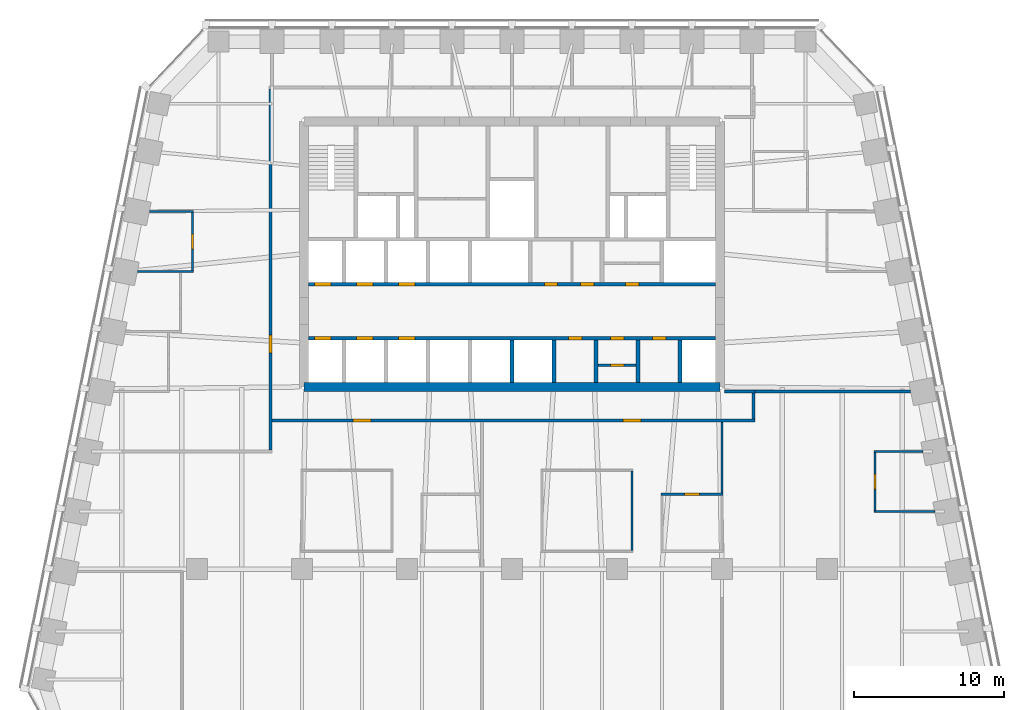
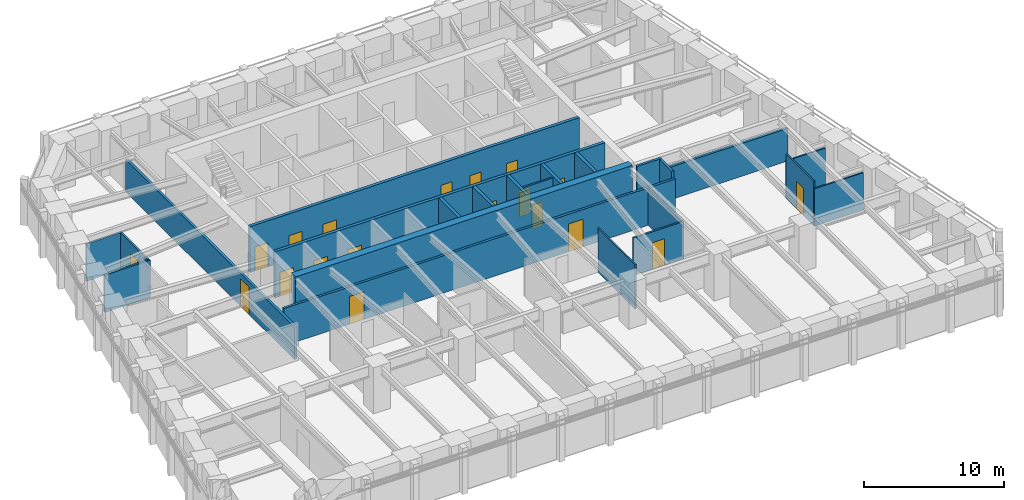
# One storey, part 6 of 10: 23 walls, 19 doors, 19 openings.
"""IFC4 building model written with IfcOpenShell, lengths in metres."""

from ifc_helpers import new_model, si_unit, direction, frame, frame_2d, origin, place, context, subcontext, project, spatial, rectangle, extrude, material, layer, layer_set, type_object, element, fill, save


model = new_model("IFC4")

# Units and contexts
model_context = context("Model", 3, precision=1e-05, world=origin(), true_north=direction((0.0, 1.0)))
body_context = subcontext(model_context, "Body", "Model", "MODEL_VIEW")
ifc_project = project(units=[si_unit("LENGTHUNIT", "METRE"), si_unit("AREAUNIT", "SQUARE_METRE"), si_unit("VOLUMEUNIT", "CUBIC_METRE"), si_unit("PLANEANGLEUNIT", "RADIAN"), si_unit("MASSUNIT", "GRAM", prefix="KILO")], contexts=[model_context])

# Site, building, storey
site_placement = place(None, origin())
site = spatial("IfcSite", under=ifc_project, at=site_placement, CompositionType="ELEMENT")
building_placement = place(site_placement, origin())
building = spatial("IfcBuilding", under=site, at=building_placement, Name="Isbrekke Arena Tower", CompositionType="ELEMENT")
storey_placement = place(building_placement, frame((0.0, 0.0, 230.0)))
storey = spatial("IfcBuildingStorey", under=building, at=storey_placement, Name="L53", CompositionType="ELEMENT", Elevation=230.0)

# Wall
ifc_material_1 = material(Name="Concrete B55 (C55/67)", Category="concrete")
ifc_layer_1 = layer(ifc_material_1, 0.60009765625)
ifc_layer_set_1 = layer_set([ifc_layer_1], Name="CW4 CORE WALL 600")
wall_type_1 = type_object("IfcWallType", Name="CW4 CORE WALL 600", PredefinedType="SHEAR", material=ifc_layer_set_1)
wall_1_placement = place(storey_placement, frame((-13.85009765625, 6.14990234375, 0.0), z_axis=(0.0, 0.0, 1.0), x_axis=(1.0, 0.0, 0.0)))
element("IfcWall", 1, at=wall_1_placement, inside=storey, type_object=wall_type_1, Name="Core wall S L53", PredefinedType="SHEAR", context=body_context, shape_type="SweptSolid", body=[
    extrude(rectangle(XDim=27.7001953125, YDim=0.60009765625, at=frame_2d((13.85009765625, 0.0))), origin(), (0.0, 0.0, 1.0), 4.0),
])

# Wall, openings, doors
ifc_material_2 = material(Name="Concrete B45 (C45/55)", Category="concrete")
ifc_layer_2 = layer(ifc_material_2, 0.25)
ifc_layer_set_2 = layer_set([ifc_layer_2], Name="CW6 SHAFT WALL 250")
wall_type_2 = type_object("IfcWallType", Name="CW6 SHAFT WALL 250", PredefinedType="SHEAR", material=ifc_layer_set_2)
wall_2_placement = place(storey_placement, frame((-13.550048828125, 9.39990234375, 0.0), z_axis=(0.0, 0.0, 1.0), x_axis=(1.0, 0.0, 0.0)))
wall_2 = element("IfcWall", 2, at=wall_2_placement, inside=storey, type_object=wall_type_2, Name="Core wall LS L53", PredefinedType="SHEAR", context=body_context, shape_type="SweptSolid", body=[
    extrude(rectangle(XDim=27.10009765625, YDim=0.25, at=frame_2d((13.550048828125, 0.0))), origin(), (0.0, 0.0, 1.0), 4.0),
])
opening_1_placement = place(wall_2_placement, frame((0.39990234375, 0.0, 0.0)))
opening_1 = element("IfcOpeningElement", 3, at=opening_1_placement, cuts=wall_2, Name="Opening LD1", PredefinedType="OPENING", context=body_context, shape_type="SweptSolid", body=[
    extrude(rectangle(XDim=1.10009765625, YDim=2.10009765625, at=frame_2d((0.550048828125, 1.050048828125))), frame((0.0, 0.139892578125, 0.0), z_axis=(0.0, -1.0, 0.0), x_axis=(1.0, 0.0, 0.0)), (0.0, 0.0, 1.0), 0.27978515625),
])
opening_2_placement = place(wall_2_placement, frame((3.199951171875, 0.0, 0.0)))
opening_2 = element("IfcOpeningElement", 4, at=opening_2_placement, cuts=wall_2, Name="Opening LD1", PredefinedType="OPENING", context=body_context, shape_type="SweptSolid", body=[
    extrude(rectangle(XDim=1.10009765625, YDim=2.10009765625, at=frame_2d((0.550048828125, 1.050048828125))), frame((0.0, 0.139892578125, 0.0), z_axis=(0.0, -1.0, 0.0), x_axis=(1.0, 0.0, 0.0)), (0.0, 0.0, 1.0), 0.27978515625),
])
opening_3_placement = place(wall_2_placement, frame((6.0, 0.0, 0.0)))
opening_3 = element("IfcOpeningElement", 5, at=opening_3_placement, cuts=wall_2, Name="Opening LD1", PredefinedType="OPENING", context=body_context, shape_type="SweptSolid", body=[
    extrude(rectangle(XDim=1.10009765625, YDim=2.10009765625, at=frame_2d((0.550048828125, 1.050048828125))), frame((0.0, 0.139892578125, 0.0), z_axis=(0.0, -1.0, 0.0), x_axis=(1.0, 0.0, 0.0)), (0.0, 0.0, 1.0), 0.27978515625),
])
opening_4_placement = place(wall_2_placement, frame((17.300048828125, 0.0, 0.0)))
opening_4 = element("IfcOpeningElement", 6, at=opening_4_placement, cuts=wall_2, Name="Opening D5", PredefinedType="OPENING", context=body_context, shape_type="SweptSolid", body=[
    extrude(rectangle(XDim=0.89990234375, YDim=2.10009765625, at=frame_2d((0.449951171875, 1.050048828125))), frame((0.0, 0.139892578125, 0.0), z_axis=(0.0, -1.0, 0.0), x_axis=(1.0, 0.0, 0.0)), (0.0, 0.0, 1.0), 0.27978515625),
])
opening_5_placement = place(wall_2_placement, frame((20.10009765625, 0.0, 0.0)))
opening_5 = element("IfcOpeningElement", 7, at=opening_5_placement, cuts=wall_2, Name="Opening D5", PredefinedType="OPENING", context=body_context, shape_type="SweptSolid", body=[
    extrude(rectangle(XDim=0.89990234375, YDim=2.10009765625, at=frame_2d((0.449951171875, 1.050048828125))), frame((0.0, 0.139892578125, 0.0), z_axis=(0.0, -1.0, 0.0), x_axis=(1.0, 0.0, 0.0)), (0.0, 0.0, 1.0), 0.27978515625),
])
opening_6_placement = place(wall_2_placement, frame((22.89990234375, 0.0, 0.0)))
opening_6 = element("IfcOpeningElement", 8, at=opening_6_placement, cuts=wall_2, Name="Opening D5", PredefinedType="OPENING", context=body_context, shape_type="SweptSolid", body=[
    extrude(rectangle(XDim=0.89990234375, YDim=2.10009765625, at=frame_2d((0.449951171875, 1.050048828125))), frame((0.0, 0.139892578125, 0.0), z_axis=(0.0, -1.0, 0.0), x_axis=(1.0, 0.0, 0.0)), (0.0, 0.0, 1.0), 0.27978515625),
])
ifc_material_3 = material(Name="Steel fire door", Category="steel")
door_type_1 = type_object("IfcDoorType", Name="D5 SERVICE DOOR 900 x 2100", OperationType="SINGLE_SWING_LEFT", PredefinedType="DOOR", material=ifc_material_3)
door_1_placement = place(opening_4_placement, origin())
door_1 = element("IfcDoor", 9, at=door_1_placement, inside=storey, type_object=door_type_1, Name="D5 tenant store door L53", OperationType="SINGLE_SWING_LEFT", OverallHeight=2.10009765625, OverallWidth=0.89990234375, PredefinedType="DOOR", context=body_context, shape_type="SweptSolid", body=[
    extrude(rectangle(XDim=0.89990234375, YDim=2.10009765625, at=frame_2d((0.449951171875, 1.050048828125))), frame((0.0, 0.124755859375, 0.0), z_axis=(0.0, -1.0, 0.0), x_axis=(1.0, 0.0, 0.0)), (0.0, 0.0, 1.0), 0.24951171875),
])
fill(opening_4, door_1)
door_2_placement = place(opening_5_placement, origin())
door_2 = element("IfcDoor", 10, at=door_2_placement, inside=storey, type_object=door_type_1, Name="D5 pantry door L53", OperationType="SINGLE_SWING_LEFT", OverallHeight=2.10009765625, OverallWidth=0.89990234375, PredefinedType="DOOR", context=body_context, shape_type="SweptSolid", body=[
    extrude(rectangle(XDim=0.89990234375, YDim=2.10009765625, at=frame_2d((0.449951171875, 1.050048828125))), frame((0.0, 0.124755859375, 0.0), z_axis=(0.0, -1.0, 0.0), x_axis=(1.0, 0.0, 0.0)), (0.0, 0.0, 1.0), 0.24951171875),
])
fill(opening_5, door_2)
door_3_placement = place(opening_6_placement, origin())
door_3 = element("IfcDoor", 11, at=door_3_placement, inside=storey, type_object=door_type_1, Name="D5 print room door L53", OperationType="SINGLE_SWING_LEFT", OverallHeight=2.10009765625, OverallWidth=0.89990234375, PredefinedType="DOOR", context=body_context, shape_type="SweptSolid", body=[
    extrude(rectangle(XDim=0.89990234375, YDim=2.10009765625, at=frame_2d((0.449951171875, 1.050048828125))), frame((0.0, 0.124755859375, 0.0), z_axis=(0.0, -1.0, 0.0), x_axis=(1.0, 0.0, 0.0)), (0.0, 0.0, 1.0), 0.24951171875),
])
fill(opening_6, door_3)
ifc_material_4 = material(Name="Stainless steel lift landing door", Category="steel")
door_type_2 = type_object("IfcDoorType", Name="LD1 LIFT LANDING DOOR 1100 x 2100", OperationType="SLIDING_TO_LEFT", PredefinedType="DOOR", material=ifc_material_4)
door_4_placement = place(opening_1_placement, origin())
door_4 = element("IfcDoor", 12, at=door_4_placement, inside=storey, type_object=door_type_2, Name="LD1 lift landing door LC L53", OperationType="SLIDING_TO_LEFT", OverallHeight=2.10009765625, OverallWidth=1.10009765625, PredefinedType="DOOR", context=body_context, shape_type="SweptSolid", body=[
    extrude(rectangle(XDim=1.10009765625, YDim=2.10009765625, at=frame_2d((0.550048828125, 1.050048828125))), frame((0.0, 0.124755859375, 0.0), z_axis=(0.0, -1.0, 0.0), x_axis=(1.0, 0.0, 0.0)), (0.0, 0.0, 1.0), 0.24951171875),
])
fill(opening_1, door_4)
door_5_placement = place(opening_2_placement, origin())
door_5 = element("IfcDoor", 13, at=door_5_placement, inside=storey, type_object=door_type_2, Name="LD1 lift landing door LC L53", OperationType="SLIDING_TO_LEFT", OverallHeight=2.10009765625, OverallWidth=1.10009765625, PredefinedType="DOOR", context=body_context, shape_type="SweptSolid", body=[
    extrude(rectangle(XDim=1.10009765625, YDim=2.10009765625, at=frame_2d((0.550048828125, 1.050048828125))), frame((0.0, 0.124755859375, 0.0), z_axis=(0.0, -1.0, 0.0), x_axis=(1.0, 0.0, 0.0)), (0.0, 0.0, 1.0), 0.24951171875),
])
fill(opening_2, door_5)
door_6_placement = place(opening_3_placement, origin())
door_6 = element("IfcDoor", 14, at=door_6_placement, inside=storey, type_object=door_type_2, Name="LD1 lift landing door LC L53", OperationType="SLIDING_TO_LEFT", OverallHeight=2.10009765625, OverallWidth=1.10009765625, PredefinedType="DOOR", context=body_context, shape_type="SweptSolid", body=[
    extrude(rectangle(XDim=1.10009765625, YDim=2.10009765625, at=frame_2d((0.550048828125, 1.050048828125))), frame((0.0, 0.124755859375, 0.0), z_axis=(0.0, -1.0, 0.0), x_axis=(1.0, 0.0, 0.0)), (0.0, 0.0, 1.0), 0.24951171875),
])
fill(opening_3, door_6)

wall_3_placement = place(storey_placement, frame((-13.550048828125, 13.0, 0.0), z_axis=(0.0, 0.0, 1.0), x_axis=(1.0, 0.0, 0.0)))
wall_3 = element("IfcWall", 15, at=wall_3_placement, inside=storey, type_object=wall_type_2, Name="Core wall LN L53", PredefinedType="SHEAR", context=body_context, shape_type="SweptSolid", body=[
    extrude(rectangle(XDim=27.10009765625, YDim=0.25, at=frame_2d((13.550048828125, 0.0))), origin(), (0.0, 0.0, 1.0), 4.0),
])
opening_7_placement = place(wall_3_placement, frame((0.39990234375, 0.0, 0.0)))
opening_7 = element("IfcOpeningElement", 16, at=opening_7_placement, cuts=wall_3, Name="Opening LD1", PredefinedType="OPENING", context=body_context, shape_type="SweptSolid", body=[
    extrude(rectangle(XDim=1.10009765625, YDim=2.10009765625, at=frame_2d((0.550048828125, 1.050048828125))), frame((0.0, 0.139892578125, 0.0), z_axis=(0.0, -1.0, 0.0), x_axis=(1.0, 0.0, 0.0)), (0.0, 0.0, 1.0), 0.27978515625),
])
opening_8_placement = place(wall_3_placement, frame((3.199951171875, 0.0, 0.0)))
opening_8 = element("IfcOpeningElement", 17, at=opening_8_placement, cuts=wall_3, Name="Opening LD1", PredefinedType="OPENING", context=body_context, shape_type="SweptSolid", body=[
    extrude(rectangle(XDim=1.10009765625, YDim=2.10009765625, at=frame_2d((0.550048828125, 1.050048828125))), frame((0.0, 0.139892578125, 0.0), z_axis=(0.0, -1.0, 0.0), x_axis=(1.0, 0.0, 0.0)), (0.0, 0.0, 1.0), 0.27978515625),
])
opening_9_placement = place(wall_3_placement, frame((6.0, 0.0, 0.0)))
opening_9 = element("IfcOpeningElement", 18, at=opening_9_placement, cuts=wall_3, Name="Opening LD1", PredefinedType="OPENING", context=body_context, shape_type="SweptSolid", body=[
    extrude(rectangle(XDim=1.10009765625, YDim=2.10009765625, at=frame_2d((0.550048828125, 1.050048828125))), frame((0.0, 0.139892578125, 0.0), z_axis=(0.0, -1.0, 0.0), x_axis=(1.0, 0.0, 0.0)), (0.0, 0.0, 1.0), 0.27978515625),
])
opening_10_placement = place(wall_3_placement, frame((15.699951171875, 0.0, 0.0)))
opening_10 = element("IfcOpeningElement", 19, at=opening_10_placement, cuts=wall_3, Name="Opening D5", PredefinedType="OPENING", context=body_context, shape_type="SweptSolid", body=[
    extrude(rectangle(XDim=0.89990234375, YDim=2.10009765625, at=frame_2d((0.449951171875, 1.050048828125))), frame((0.0, 0.139892578125, 0.0), z_axis=(0.0, -1.0, 0.0), x_axis=(1.0, 0.0, 0.0)), (0.0, 0.0, 1.0), 0.27978515625),
])
opening_11_placement = place(wall_3_placement, frame((18.10009765625, 0.0, 0.0)))
opening_11 = element("IfcOpeningElement", 20, at=opening_11_placement, cuts=wall_3, Name="Opening D5", PredefinedType="OPENING", context=body_context, shape_type="SweptSolid", body=[
    extrude(rectangle(XDim=0.89990234375, YDim=2.10009765625, at=frame_2d((0.449951171875, 1.050048828125))), frame((0.0, 0.139892578125, 0.0), z_axis=(0.0, -1.0, 0.0), x_axis=(1.0, 0.0, 0.0)), (0.0, 0.0, 1.0), 0.27978515625),
])
opening_12_placement = place(wall_3_placement, frame((21.10009765625, 0.0, 0.0)))
opening_12 = element("IfcOpeningElement", 21, at=opening_12_placement, cuts=wall_3, Name="Opening D5", PredefinedType="OPENING", context=body_context, shape_type="SweptSolid", body=[
    extrude(rectangle(XDim=0.89990234375, YDim=2.10009765625, at=frame_2d((0.449951171875, 1.050048828125))), frame((0.0, 0.139892578125, 0.0), z_axis=(0.0, -1.0, 0.0), x_axis=(1.0, 0.0, 0.0)), (0.0, 0.0, 1.0), 0.27978515625),
])
door_7_placement = place(opening_10_placement, origin())
door_7 = element("IfcDoor", 22, at=door_7_placement, inside=storey, type_object=door_type_1, Name="D5 mothers' room door L53", OperationType="SINGLE_SWING_LEFT", OverallHeight=2.10009765625, OverallWidth=0.89990234375, PredefinedType="DOOR", context=body_context, shape_type="SweptSolid", body=[
    extrude(rectangle(XDim=0.89990234375, YDim=2.10009765625, at=frame_2d((0.449951171875, 1.050048828125))), frame((0.0, 0.124755859375, 0.0), z_axis=(0.0, -1.0, 0.0), x_axis=(1.0, 0.0, 0.0)), (0.0, 0.0, 1.0), 0.24951171875),
])
fill(opening_10, door_7)
door_8_placement = place(opening_11_placement, origin())
door_8 = element("IfcDoor", 23, at=door_8_placement, inside=storey, type_object=door_type_1, Name="D5 cleaner's store door L53", OperationType="SINGLE_SWING_LEFT", OverallHeight=2.10009765625, OverallWidth=0.89990234375, PredefinedType="DOOR", context=body_context, shape_type="SweptSolid", body=[
    extrude(rectangle(XDim=0.89990234375, YDim=2.10009765625, at=frame_2d((0.449951171875, 1.050048828125))), frame((0.0, 0.124755859375, 0.0), z_axis=(0.0, -1.0, 0.0), x_axis=(1.0, 0.0, 0.0)), (0.0, 0.0, 1.0), 0.24951171875),
])
fill(opening_11, door_8)
door_9_placement = place(opening_12_placement, origin())
door_9 = element("IfcDoor", 24, at=door_9_placement, inside=storey, type_object=door_type_1, Name="D5 communications room door L53", OperationType="SINGLE_SWING_LEFT", OverallHeight=2.10009765625, OverallWidth=0.89990234375, PredefinedType="DOOR", context=body_context, shape_type="SweptSolid", body=[
    extrude(rectangle(XDim=0.89990234375, YDim=2.10009765625, at=frame_2d((0.449951171875, 1.050048828125))), frame((0.0, 0.124755859375, 0.0), z_axis=(0.0, -1.0, 0.0), x_axis=(1.0, 0.0, 0.0)), (0.0, 0.0, 1.0), 0.24951171875),
])
fill(opening_12, door_9)
door_10_placement = place(opening_7_placement, origin())
door_10 = element("IfcDoor", 25, at=door_10_placement, inside=storey, type_object=door_type_2, Name="LD1 lift landing door LC L53", OperationType="SLIDING_TO_LEFT", OverallHeight=2.10009765625, OverallWidth=1.10009765625, PredefinedType="DOOR", context=body_context, shape_type="SweptSolid", body=[
    extrude(rectangle(XDim=1.10009765625, YDim=2.10009765625, at=frame_2d((0.550048828125, 1.050048828125))), frame((0.0, 0.124755859375, 0.0), z_axis=(0.0, -1.0, 0.0), x_axis=(1.0, 0.0, 0.0)), (0.0, 0.0, 1.0), 0.24951171875),
])
fill(opening_7, door_10)
door_11_placement = place(opening_8_placement, origin())
door_11 = element("IfcDoor", 26, at=door_11_placement, inside=storey, type_object=door_type_2, Name="LD1 lift landing door LC L53", OperationType="SLIDING_TO_LEFT", OverallHeight=2.10009765625, OverallWidth=1.10009765625, PredefinedType="DOOR", context=body_context, shape_type="SweptSolid", body=[
    extrude(rectangle(XDim=1.10009765625, YDim=2.10009765625, at=frame_2d((0.550048828125, 1.050048828125))), frame((0.0, 0.124755859375, 0.0), z_axis=(0.0, -1.0, 0.0), x_axis=(1.0, 0.0, 0.0)), (0.0, 0.0, 1.0), 0.24951171875),
])
fill(opening_8, door_11)
door_12_placement = place(opening_9_placement, origin())
door_12 = element("IfcDoor", 27, at=door_12_placement, inside=storey, type_object=door_type_2, Name="LD1 lift landing door LC L53", OperationType="SLIDING_TO_LEFT", OverallHeight=2.10009765625, OverallWidth=1.10009765625, PredefinedType="DOOR", context=body_context, shape_type="SweptSolid", body=[
    extrude(rectangle(XDim=1.10009765625, YDim=2.10009765625, at=frame_2d((0.550048828125, 1.050048828125))), frame((0.0, 0.124755859375, 0.0), z_axis=(0.0, -1.0, 0.0), x_axis=(1.0, 0.0, 0.0)), (0.0, 0.0, 1.0), 0.24951171875),
])
fill(opening_9, door_12)

# Walls
for number, where, z_axis, x_axis, name in (
    (28, (0.0, 6.449951171875, 0.0), (0.0, 0.0, 1.0), (0.0, 1.0, 0.0), "Core wall SS05 L53"),
    (29, (2.800048828125, 6.449951171875, 0.0), (0.0, 0.0, 1.0), (0.0, 1.0, 0.0), "Core wall SS06 L53"),
    (30, (5.60009765625, 6.449951171875, 0.0), (0.0, 0.0, 1.0), (0.0, 1.0, 0.0), "Core wall SS07 L53"),
    (31, (8.39990234375, 6.449951171875, 0.0), (0.0, 0.0, 1.0), (0.0, 1.0, 0.0), "Core wall SS08 L53"),
    (32, (11.199951171875, 6.449951171875, 0.0), (0.0, 0.0, 1.0), (0.0, 1.0, 0.0), "Core wall SS09 L53"),
):
    element("IfcWall", number, at=place(storey_placement, frame(where, z_axis=z_axis, x_axis=x_axis)), inside=storey, type_object=wall_type_2, Name=name, PredefinedType="SHEAR", context=body_context, shape_type="SweptSolid", body=[
        extrude(rectangle(XDim=2.824951171875, YDim=0.25, at=frame_2d((1.41259765625, 0.0))), origin(), (0.0, 0.0, 1.0), 4.0),
    ])

# Wall, opening, door
ifc_material_5 = material(Name="Gypsum board partition on steel studs", Category="steel")
ifc_layer_3 = layer(ifc_material_5, 0.14990234375)
ifc_layer_set_3 = layer_set([ifc_layer_3], Name="IW1 PARTITION 150")
wall_type_3 = type_object("IfcWallType", Name="IW1 PARTITION 150", PredefinedType="PARTITIONING", material=ifc_layer_set_3)
wall_4_placement = place(storey_placement, frame((9.925048828125, -1.0, 0.0), z_axis=(0.0, 0.0, 1.0), x_axis=(1.0, 0.0, 0.0)))
wall_4 = element("IfcWall", 33, at=wall_4_placement, inside=storey, type_object=wall_type_3, Name="IW1 partition 150 L53", PredefinedType="PARTITIONING", context=body_context, shape_type="SweptSolid", body=[
    extrude(rectangle(XDim=4.14990234375, YDim=0.14990234375, at=frame_2d((2.074951171875, 0.0))), origin(), (0.0, 0.0, 1.0), 3.25),
])
opening_13_placement = place(wall_4_placement, frame((1.574951171875, 0.0, 0.0)))
opening_13 = element("IfcOpeningElement", 34, at=opening_13_placement, cuts=wall_4, Name="Opening D10", PredefinedType="OPENING", context=body_context, shape_type="SweptSolid", body=[
    extrude(rectangle(XDim=1.0, YDim=2.300048828125, at=frame_2d((0.5, 1.14990234375))), frame((0.0, 0.08984375, 0.0), z_axis=(0.0, -1.0, 0.0), x_axis=(1.0, 0.0, 0.0)), (0.0, 0.0, 1.0), 0.1796875),
])
ifc_material_6 = material(Name="Timber door", Category="wood")
door_type_3 = type_object("IfcDoorType", Name="D10 OFFICE DOOR 1000 x 2300", OperationType="SINGLE_SWING_LEFT", PredefinedType="DOOR", material=ifc_material_6)
door_13_placement = place(opening_13_placement, origin())
door_13 = element("IfcDoor", 35, at=door_13_placement, inside=storey, type_object=door_type_3, Name="D10 tea point door L53", OperationType="SINGLE_SWING_LEFT", OverallHeight=2.300048828125, OverallWidth=1.0, PredefinedType="DOOR", context=body_context, shape_type="SweptSolid", body=[
    extrude(rectangle(XDim=1.0, YDim=2.300048828125, at=frame_2d((0.5, 1.14990234375))), frame((0.0, 0.07470703125, 0.0), z_axis=(0.0, -1.0, 0.0), x_axis=(1.0, 0.0, 0.0)), (0.0, 0.0, 1.0), 0.1494140625),
])
fill(opening_13, door_13)

# Walls
wall_5_placement = place(storey_placement, frame((-24.974853515625, 13.840087890625, 0.0), z_axis=(0.0, 0.0, 1.0), x_axis=(1.0, 0.0, 0.0)))
element("IfcWall", 36, at=wall_5_placement, inside=storey, type_object=wall_type_3, Name="IW1 partition 150 L53", PredefinedType="PARTITIONING", context=body_context, shape_type="SweptSolid", body=[
    extrude(rectangle(XDim=3.749755859375, YDim=0.14990234375, at=frame_2d((1.875, 0.0))), origin(), (0.0, 0.0, 1.0), 3.25),
])
wall_6_placement = place(storey_placement, frame((-24.1748046875, 17.840087890625, 0.0), z_axis=(0.0, 0.0, 1.0), x_axis=(1.0, 0.0, 0.0)))
element("IfcWall", 37, at=wall_6_placement, inside=storey, type_object=wall_type_3, Name="IW1 partition 150 L53", PredefinedType="PARTITIONING", context=body_context, shape_type="SweptSolid", body=[
    extrude(rectangle(XDim=2.94970703125, YDim=0.14990234375, at=frame_2d((1.474853515625, 0.0))), origin(), (0.0, 0.0, 1.0), 3.25),
])

# Wall, opening, door
wall_7_placement = place(storey_placement, frame((-21.300048828125, 13.9150390625, 0.0), z_axis=(0.0, 0.0, 1.0), x_axis=(0.0, 1.0, 0.0)))
wall_7 = element("IfcWall", 38, at=wall_7_placement, inside=storey, type_object=wall_type_3, Name="IW1 partition 150 L53", PredefinedType="PARTITIONING", context=body_context, shape_type="SweptSolid", body=[
    extrude(rectangle(XDim=3.849853515625, YDim=0.14990234375, at=frame_2d((1.9248046875, 0.0))), origin(), (0.0, 0.0, 1.0), 3.25),
])
opening_14_placement = place(wall_7_placement, frame((1.425048828125, 0.0, 0.0)))
opening_14 = element("IfcOpeningElement", 39, at=opening_14_placement, cuts=wall_7, Name="Opening D10", PredefinedType="OPENING", context=body_context, shape_type="SweptSolid", body=[
    extrude(rectangle(XDim=1.0, YDim=2.300048828125, at=frame_2d((0.5, 1.14990234375))), frame((0.0, 0.08984375, 0.0), z_axis=(0.0, -1.0, 0.0), x_axis=(1.0, 0.0, 0.0)), (0.0, 0.0, 1.0), 0.1796875),
])
door_14_placement = place(opening_14_placement, origin())
door_14 = element("IfcDoor", 40, at=door_14_placement, inside=storey, type_object=door_type_3, Name="D10 office door L53", OperationType="SINGLE_SWING_LEFT", OverallHeight=2.300048828125, OverallWidth=1.0, PredefinedType="DOOR", context=body_context, shape_type="SweptSolid", body=[
    extrude(rectangle(XDim=1.0, YDim=2.300048828125, at=frame_2d((0.5, 1.14990234375))), frame((0.0, 0.07470703125, 0.0), z_axis=(0.0, -1.0, 0.0), x_axis=(1.0, 0.0, 0.0)), (0.0, 0.0, 1.0), 0.1494140625),
])
fill(opening_14, door_14)

# Walls
ifc_material_7 = material(Name="Frameless glazed partition, laminated acoustic glass", Category="glass")
ifc_layer_4 = layer(ifc_material_7, 0.1201171875)
ifc_layer_set_4 = layer_set([ifc_layer_4], Name="IW2 GLAZED PARTITION 120")
wall_type_4 = type_object("IfcWallType", Name="IW2 GLAZED PARTITION 120", PredefinedType="PARTITIONING", material=ifc_layer_set_4)
wall_8_placement = place(storey_placement, frame((24.139892578125, -2.159912109375, 0.0), z_axis=(0.0, 0.0, 1.0), x_axis=(1.0, 0.0, 0.0)))
element("IfcWall", 41, at=wall_8_placement, inside=storey, type_object=wall_type_4, Name="IW2 glazed partition 120 L53", PredefinedType="PARTITIONING", context=body_context, shape_type="SweptSolid", body=[
    extrude(rectangle(XDim=4.034912109375, YDim=0.1201171875, at=frame_2d((2.017578125, 0.0))), origin(), (0.0, 0.0, 1.0), 3.25),
])
wall_9_placement = place(storey_placement, frame((24.139892578125, 1.840087890625, 0.0), z_axis=(0.0, 0.0, 1.0), x_axis=(1.0, 0.0, 0.0)))
element("IfcWall", 42, at=wall_9_placement, inside=storey, type_object=wall_type_4, Name="IW2 glazed partition 120 L53", PredefinedType="PARTITIONING", context=body_context, shape_type="SweptSolid", body=[
    extrude(rectangle(XDim=3.23486328125, YDim=0.1201171875, at=frame_2d((1.617431640625, 0.0))), origin(), (0.0, 0.0, 1.0), 3.25),
])
wall_10_placement = place(storey_placement, frame((8.0, -4.739990234375, 0.0), z_axis=(0.0, 0.0, 1.0), x_axis=(0.0, 1.0, 0.0)))
element("IfcWall", 43, at=wall_10_placement, inside=storey, type_object=wall_type_4, Name="IW2 glazed partition 120 L53", PredefinedType="PARTITIONING", context=body_context, shape_type="SweptSolid", body=[
    extrude(rectangle(XDim=5.280029296875, YDim=0.1201171875, at=frame_2d((2.64013671875, 0.0))), origin(), (0.0, 0.0, 1.0), 3.85009765625),
])

# Wall, opening, door
wall_11_placement = place(storey_placement, frame((24.199951171875, -2.10009765625, 0.0), z_axis=(0.0, 0.0, 1.0), x_axis=(0.0, 1.0, 0.0)))
wall_11 = element("IfcWall", 44, at=wall_11_placement, inside=storey, type_object=wall_type_4, Name="IW2 glazed partition 120 L53", PredefinedType="PARTITIONING", context=body_context, shape_type="SweptSolid", body=[
    extrude(rectangle(XDim=3.880126953125, YDim=0.1201171875, at=frame_2d((1.93994140625, 0.0))), origin(), (0.0, 0.0, 1.0), 3.85009765625),
])
opening_15_placement = place(wall_11_placement, frame((1.43994140625, 0.0, 0.0)))
opening_15 = element("IfcOpeningElement", 45, at=opening_15_placement, cuts=wall_11, Name="Opening D11", PredefinedType="OPENING", context=body_context, shape_type="SweptSolid", body=[
    extrude(rectangle(XDim=1.0, YDim=2.39990234375, at=frame_2d((0.5, 1.199951171875))), frame((0.0, 0.074951171875, 0.0), z_axis=(0.0, -1.0, 0.0), x_axis=(1.0, 0.0, 0.0)), (0.0, 0.0, 1.0), 0.14990234375),
])
ifc_material_8 = material(Name="Frameless glazed door", Category="glass")
door_type_4 = type_object("IfcDoorType", Name="D11 GLAZED MEETING ROOM DOOR 1000 x 2400", OperationType="SINGLE_SWING_RIGHT", PredefinedType="DOOR", material=ifc_material_8)
door_15_placement = place(opening_15_placement, origin())
door_15 = element("IfcDoor", 46, at=door_15_placement, inside=storey, type_object=door_type_4, Name="D11 meeting room door L53", OperationType="SINGLE_SWING_RIGHT", OverallHeight=2.39990234375, OverallWidth=1.0, PredefinedType="DOOR", context=body_context, shape_type="SweptSolid", body=[
    extrude(rectangle(XDim=1.0, YDim=2.39990234375, at=frame_2d((0.5, 1.199951171875))), frame((0.0, 0.059814453125, 0.0), z_axis=(0.0, -1.0, 0.0), x_axis=(1.0, 0.0, 0.0)), (0.0, 0.0, 1.0), 0.11962890625),
])
fill(opening_15, door_15)

# Wall
wall_12_placement = place(storey_placement, frame((14.0, -0.905029296875, 0.0), z_axis=(0.0, 0.0, 1.0), x_axis=(0.0, 1.0, 0.0)))
element("IfcWall", 47, at=wall_12_placement, inside=storey, type_object=wall_type_4, Name="IW2 glazed partition 120 L53", PredefinedType="PARTITIONING", context=body_context, shape_type="SweptSolid", body=[
    extrude(rectangle(XDim=4.68505859375, YDim=0.1201171875, at=frame_2d((2.342529296875, 0.0))), origin(), (0.0, 0.0, 1.0), 3.25),
])

# Wall, openings, doors
ifc_material_9 = material(Name="Gypsum board fire-cell wall on steel studs, two layers each side", Category="steel")
ifc_layer_5 = layer(ifc_material_9, 0.199951171875)
ifc_layer_set_5 = layer_set([ifc_layer_5], Name="IW3 FIRE-CELL WALL 200")
wall_type_5 = type_object("IfcWallType", Name="IW3 FIRE-CELL WALL 200", PredefinedType="PARTITIONING", material=ifc_layer_set_5)
wall_13_placement = place(storey_placement, frame((-16.0, 3.89990234375, 0.0), z_axis=(0.0, 0.0, 1.0), x_axis=(1.0, 0.0, 0.0)))
wall_13 = element("IfcWall", 48, at=wall_13_placement, inside=storey, type_object=wall_type_5, Name="IW3 fire-cell wall 200 L53", PredefinedType="PARTITIONING", context=body_context, shape_type="SweptSolid", body=[
    extrude(rectangle(XDim=32.199951171875, YDim=0.199951171875, at=frame_2d((16.10009765625, 0.0))), origin(), (0.0, 0.0, 1.0), 3.25),
])
opening_16_placement = place(wall_13_placement, frame((5.39990234375, 0.0, 0.0)))
opening_16 = element("IfcOpeningElement", 49, at=opening_16_placement, cuts=wall_13, Name="Opening D12", PredefinedType="OPENING", context=body_context, shape_type="SweptSolid", body=[
    extrude(rectangle(XDim=1.199951171875, YDim=2.39990234375, at=frame_2d((0.60009765625, 1.199951171875))), frame((0.0, 0.11474609375, 0.0), z_axis=(0.0, -1.0, 0.0), x_axis=(1.0, 0.0, 0.0)), (0.0, 0.0, 1.0), 0.229736328125),
])
opening_17_placement = place(wall_13_placement, frame((23.39990234375, 0.0, 0.0)))
opening_17 = element("IfcOpeningElement", 50, at=opening_17_placement, cuts=wall_13, Name="Opening D12", PredefinedType="OPENING", context=body_context, shape_type="SweptSolid", body=[
    extrude(rectangle(XDim=1.199951171875, YDim=2.39990234375, at=frame_2d((0.60009765625, 1.199951171875))), frame((0.0, 0.11474609375, 0.0), z_axis=(0.0, -1.0, 0.0), x_axis=(1.0, 0.0, 0.0)), (0.0, 0.0, 1.0), 0.229736328125),
])
ifc_material_10 = material(Name="Timber fire door with vision panel", Category="wood")
door_type_5 = type_object("IfcDoorType", Name="D12 SUITE ENTRANCE DOOR 1200 x 2400", OperationType="SINGLE_SWING_LEFT", PredefinedType="DOOR", material=ifc_material_10)
door_16_placement = place(opening_16_placement, origin())
door_16 = element("IfcDoor", 51, at=door_16_placement, inside=storey, type_object=door_type_5, Name="D12 suite entrance SW door L53", OperationType="SINGLE_SWING_LEFT", OverallHeight=2.39990234375, OverallWidth=1.199951171875, PredefinedType="DOOR", context=body_context, shape_type="SweptSolid", body=[
    extrude(rectangle(XDim=1.199951171875, YDim=2.39990234375, at=frame_2d((0.60009765625, 1.199951171875))), frame((0.0, 0.099609375, 0.0), z_axis=(0.0, -1.0, 0.0), x_axis=(1.0, 0.0, 0.0)), (0.0, 0.0, 1.0), 0.199462890625),
])
fill(opening_16, door_16)
door_17_placement = place(opening_17_placement, origin())
door_17 = element("IfcDoor", 52, at=door_17_placement, inside=storey, type_object=door_type_5, Name="D12 suite entrance SE door L53", OperationType="SINGLE_SWING_LEFT", OverallHeight=2.39990234375, OverallWidth=1.199951171875, PredefinedType="DOOR", context=body_context, shape_type="SweptSolid", body=[
    extrude(rectangle(XDim=1.199951171875, YDim=2.39990234375, at=frame_2d((0.60009765625, 1.199951171875))), frame((0.0, 0.099609375, 0.0), z_axis=(0.0, -1.0, 0.0), x_axis=(1.0, 0.0, 0.0)), (0.0, 0.0, 1.0), 0.199462890625),
])
fill(opening_17, door_17)

# Walls
wall_14_placement = place(storey_placement, frame((16.199951171875, 5.840087890625, 0.0), z_axis=(0.0, 0.0, 1.0), x_axis=(1.0, 0.0, 0.0)))
element("IfcWall", 53, at=wall_14_placement, inside=storey, type_object=wall_type_5, Name="IW3 fire-cell wall 200 L53", PredefinedType="PARTITIONING", context=body_context, shape_type="SweptSolid", body=[
    extrude(rectangle(XDim=10.374755859375, YDim=0.199951171875, at=frame_2d((5.1875, 0.0))), origin(), (0.0, 0.0, 1.0), 2.842041015625),
])
wall_15_placement = place(storey_placement, frame((14.179931640625, 5.85009765625, 0.0), z_axis=(0.0, 0.0, 1.0), x_axis=(1.0, 0.0, 0.0)))
element("IfcWall", 54, at=wall_15_placement, inside=storey, type_object=wall_type_5, Name="IW3 fire-cell wall 200 L53", PredefinedType="PARTITIONING", context=body_context, shape_type="SweptSolid", body=[
    extrude(rectangle(XDim=2.02001953125, YDim=0.199951171875, at=frame_2d((1.010009765625, 0.0))), origin(), (0.0, 0.0, 1.0), 3.85009765625),
])

# Wall, opening, door
wall_16_placement = place(storey_placement, frame((-16.10009765625, 1.93994140625, 0.0), z_axis=(0.0, 0.0, 1.0), x_axis=(0.0, 1.0, 0.0)))
wall_16 = element("IfcWall", 55, at=wall_16_placement, inside=storey, type_object=wall_type_5, Name="IW3 fire-cell wall 200 L53", PredefinedType="PARTITIONING", context=body_context, shape_type="SweptSolid", body=[
    extrude(rectangle(XDim=24.06005859375, YDim=0.199951171875, at=frame_2d((12.030029296875, 0.0))), origin(), (0.0, 0.0, 1.0), 2.842041015625),
])
opening_18_placement = place(wall_16_placement, frame((6.4599609375, 0.0, 0.0)))
opening_18 = element("IfcOpeningElement", 56, at=opening_18_placement, cuts=wall_16, Name="Opening D12", PredefinedType="OPENING", context=body_context, shape_type="SweptSolid", body=[
    extrude(rectangle(XDim=1.199951171875, YDim=2.39990234375, at=frame_2d((0.60009765625, 1.199951171875))), frame((0.0, 0.11474609375, 0.0), z_axis=(0.0, -1.0, 0.0), x_axis=(1.0, 0.0, 0.0)), (0.0, 0.0, 1.0), 0.229736328125),
])
door_18_placement = place(opening_18_placement, origin())
door_18 = element("IfcDoor", 57, at=door_18_placement, inside=storey, type_object=door_type_5, Name="D12 suite entrance N door L53", OperationType="SINGLE_SWING_LEFT", OverallHeight=2.39990234375, OverallWidth=1.199951171875, PredefinedType="DOOR", context=body_context, shape_type="SweptSolid", body=[
    extrude(rectangle(XDim=1.199951171875, YDim=2.39990234375, at=frame_2d((0.60009765625, 1.199951171875))), frame((0.0, 0.099609375, 0.0), z_axis=(0.0, -1.0, 0.0), x_axis=(1.0, 0.0, 0.0)), (0.0, 0.0, 1.0), 0.199462890625),
])
fill(opening_18, door_18)

# Wall
wall_17_placement = place(storey_placement, frame((16.10009765625, 4.0, 0.0), z_axis=(0.0, 0.0, 1.0), x_axis=(0.0, 1.0, 0.0)))
element("IfcWall", 58, at=wall_17_placement, inside=storey, type_object=wall_type_5, Name="IW3 fire-cell wall 200 L53", PredefinedType="PARTITIONING", context=body_context, shape_type="SweptSolid", body=[
    extrude(rectangle(XDim=1.75, YDim=0.199951171875, at=frame_2d((0.875, 0.0))), origin(), (0.0, 0.0, 1.0), 3.85009765625),
])

# Wall, opening, door
ifc_material_11 = material(Name="Gypsum board fire-rated partition on steel studs, two layers each side", Category="steel")
ifc_layer_6 = layer(ifc_material_11, 0.14990234375)
ifc_layer_set_6 = layer_set([ifc_layer_6], Name="IW5 FIRE-RATED PARTITION 150")
wall_type_6 = type_object("IfcWallType", Name="IW5 FIRE-RATED PARTITION 150", PredefinedType="PARTITIONING", material=ifc_layer_set_6)
wall_18_placement = place(storey_placement, frame((5.72509765625, 7.60009765625, 0.0), z_axis=(0.0, 0.0, 1.0), x_axis=(1.0, 0.0, 0.0)))
wall_18 = element("IfcWall", 59, at=wall_18_placement, inside=storey, type_object=wall_type_6, Name="IW5 fire-rated partition L53 core service rooms 3", PredefinedType="PARTITIONING", context=body_context, shape_type="SweptSolid", body=[
    extrude(rectangle(XDim=2.5498046875, YDim=0.14990234375, at=frame_2d((1.27490234375, 0.0))), origin(), (0.0, 0.0, 1.0), 3.85009765625),
])
opening_19_placement = place(wall_18_placement, frame((0.824951171875, 0.0, 0.0)))
opening_19 = element("IfcOpeningElement", 60, at=opening_19_placement, cuts=wall_18, Name="Opening D5", PredefinedType="OPENING", context=body_context, shape_type="SweptSolid", body=[
    extrude(rectangle(XDim=0.89990234375, YDim=2.10009765625, at=frame_2d((0.449951171875, 1.050048828125))), frame((0.0, 0.08984375, 0.0), z_axis=(0.0, -1.0, 0.0), x_axis=(1.0, 0.0, 0.0)), (0.0, 0.0, 1.0), 0.1796875),
])
door_19_placement = place(opening_19_placement, origin())
door_19 = element("IfcDoor", 61, at=door_19_placement, inside=storey, type_object=door_type_1, Name="D5 archive door L53", OperationType="SINGLE_SWING_LEFT", OverallHeight=2.10009765625, OverallWidth=0.89990234375, PredefinedType="DOOR", context=body_context, shape_type="SweptSolid", body=[
    extrude(rectangle(XDim=0.89990234375, YDim=2.10009765625, at=frame_2d((0.449951171875, 1.050048828125))), frame((0.0, 0.07470703125, 0.0), z_axis=(0.0, -1.0, 0.0), x_axis=(1.0, 0.0, 0.0)), (0.0, 0.0, 1.0), 0.1494140625),
])
fill(opening_19, door_19)

save(model, "model.ifc")
